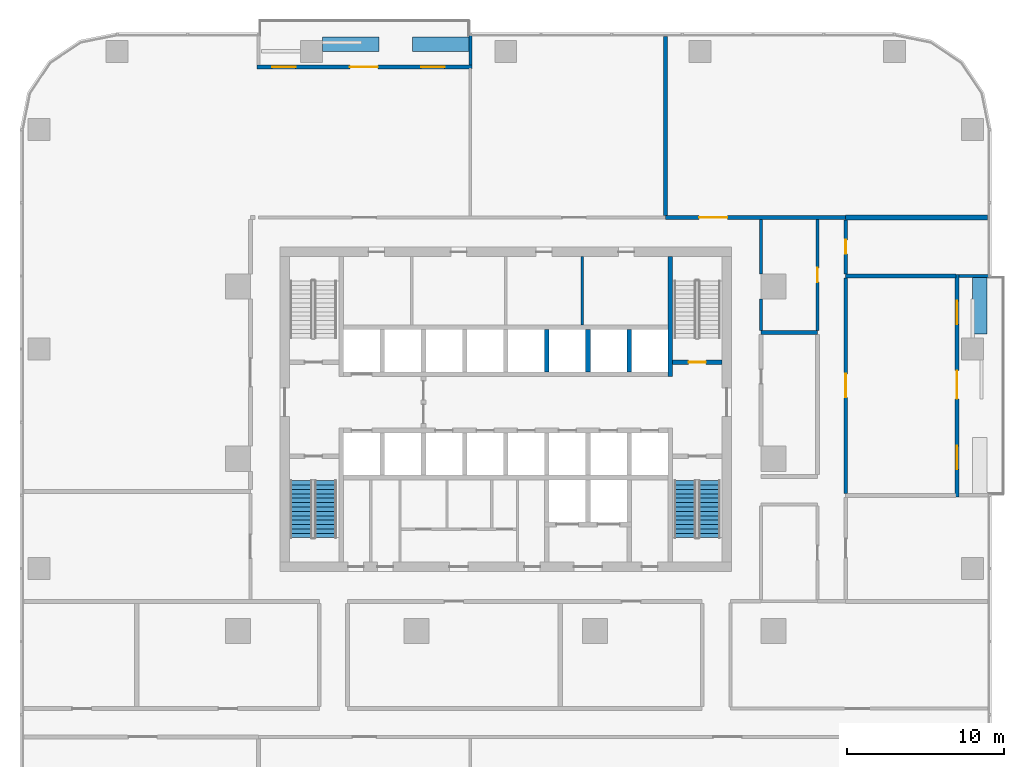
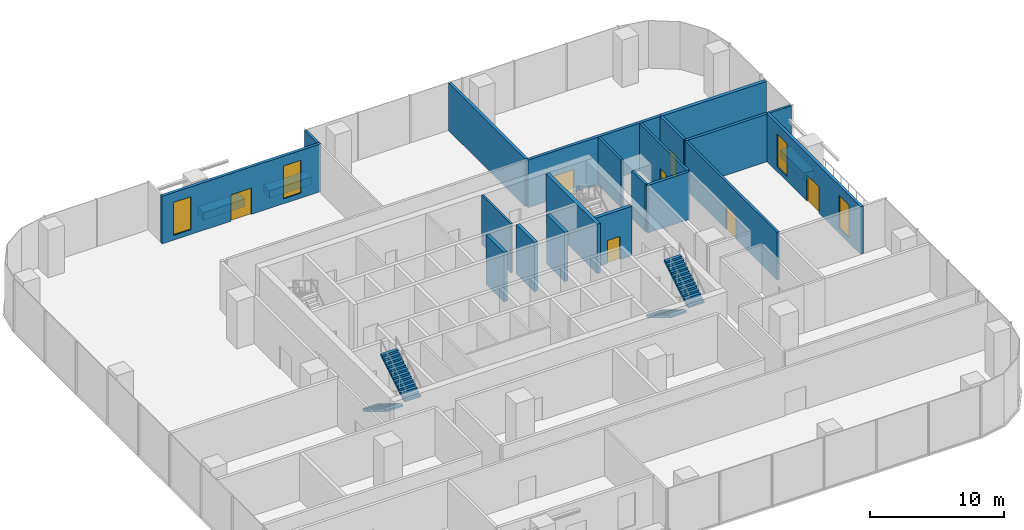
# One storey, part 10 of 15: 23 walls, 7 doors, 4 stair flights, 4 windows, 11 openings, 2 elements without a shape of their own.
"""IFC4 building model written with IfcOpenShell, lengths in metres."""

from ifc_helpers import new_model, si_unit, direction, frame, frame_2d, origin, place, context, subcontext, project, spatial, polyline, rectangle, outline, extrude, material, layer, layer_set, type_object, element, fill, aggregate, save


model = new_model("IFC4")

# Units and contexts
model_context = context("Model", 3, precision=1e-05, world=origin(), true_north=direction((0.0, 1.0)))
body_context = subcontext(model_context, "Body", "Model", "MODEL_VIEW")
ifc_project = project(units=[si_unit("LENGTHUNIT", "METRE"), si_unit("AREAUNIT", "SQUARE_METRE"), si_unit("VOLUMEUNIT", "CUBIC_METRE"), si_unit("PLANEANGLEUNIT", "RADIAN"), si_unit("MASSUNIT", "GRAM", prefix="KILO")], contexts=[model_context])

# Site, building, storey
site_placement = place(None, origin())
site = spatial("IfcSite", under=ifc_project, at=site_placement, CompositionType="ELEMENT")
building_placement = place(site_placement, origin())
building = spatial("IfcBuilding", under=site, at=building_placement, Name="Mopane Tessera Tower", CompositionType="ELEMENT")
storey_placement = place(building_placement, frame((0.0, 0.0, 64.60009765625)))
storey = spatial("IfcBuildingStorey", under=building, at=storey_placement, Name="L12", CompositionType="ELEMENT", Elevation=64.60009765625)

# Walls
ifc_material_1 = material(Name="Fire-rated gypsum board partition")
ifc_layer_1 = layer(ifc_material_1, 0.14990234375)
ifc_layer_set_1 = layer_set([ifc_layer_1], Name="Fire-rated gypsum board partition")
wall_type_1 = type_object("IfcWallType", Name="Core room partition 150 mm", PredefinedType="PARTITIONING", material=ifc_layer_set_1)
wall_1_placement = place(storey_placement, frame((4.875, 8.550048828125, 0.0), z_axis=(0.0, 0.0, 1.0), x_axis=(0.0, 1.0, 0.0)))
element("IfcWall", 1, at=wall_1_placement, inside=storey, type_object=wall_type_1, Name="L12 Room partition", PredefinedType="PARTITIONING", context=body_context, shape_type="SweptSolid", body=[
    extrude(rectangle(XDim=4.349853515625, YDim=0.14990234375, at=frame_2d((2.1748046875, 0.0))), origin(), (0.0, 0.0, 1.0), 4.5),
])
ifc_material_2 = material(Name="Concrete C60/75", Category="concrete")
ifc_layer_2 = layer(ifc_material_2, 0.300048828125)
ifc_layer_set_2 = layer_set([ifc_layer_2], Name="Concrete C60/75")
wall_type_2 = type_object("IfcWallType", Name="Core spine wall 300 mm", PredefinedType="SHEAR", material=ifc_layer_set_2)
wall_2_placement = place(storey_placement, frame((10.5, 5.25, 0.0), z_axis=(0.0, 0.0, 1.0), x_axis=(0.0, 1.0, 0.0)))
element("IfcWall", 2, at=wall_2_placement, inside=storey, type_object=wall_type_2, Name="L12 Core spine wall", PredefinedType="SHEAR", context=body_context, shape_type="SweptSolid", body=[
    extrude(rectangle(XDim=7.64990234375, YDim=0.300048828125, at=frame_2d((3.824951171875, 0.0))), origin(), (0.0, 0.0, 1.0), 4.5),
])
ifc_material_3 = material(Name="Gypsum board on steel studs, two layers each face, mineral wool infill", Category="steel")
ifc_layer_3 = layer(ifc_material_3, 0.199951171875)
ifc_layer_set_3 = layer_set([ifc_layer_3], Name="Gypsum board on steel studs, two layers each face, mineral wool infill")
wall_type_3 = type_object("IfcWallType", Name="Gypsum board corridor wall 200, rated EI 60", PredefinedType="PARTITIONING", material=ifc_layer_set_3)
wall_3_placement = place(storey_placement, frame((16.300048828125, 8.179931640625, 0.0), z_axis=(0.0, 0.0, 1.0), x_axis=(0.0, 1.0, 0.0)))
element("IfcWall", 3, at=wall_3_placement, inside=storey, type_object=wall_type_3, Name="Partition L12:036", PredefinedType="PARTITIONING", context=body_context, shape_type="SweptSolid", body=[
    extrude(rectangle(XDim=2.02001953125, YDim=0.199951171875, at=frame_2d((1.010009765625, 0.0))), origin(), (0.0, 0.0, 1.0), 4.349853515625),
])
wall_4_placement = place(storey_placement, frame((16.300048828125, 11.800048828125, 0.0), z_axis=(0.0, 0.0, 1.0), x_axis=(0.0, 1.0, 0.0)))
element("IfcWall", 4, at=wall_4_placement, inside=storey, type_object=wall_type_3, Name="Partition L12:037", PredefinedType="PARTITIONING", context=body_context, shape_type="SweptSolid", body=[
    extrude(rectangle(XDim=3.474853515625, YDim=0.199951171875, at=frame_2d((1.7373046875, 0.0))), origin(), (0.0, 0.0, 1.0), 4.349853515625),
])

# Wall, opening, door
wall_5_placement = place(storey_placement, frame((19.89990234375, 8.179931640625, 0.0), z_axis=(0.0, 0.0, 1.0), x_axis=(0.0, 1.0, 0.0)))
wall_5 = element("IfcWall", 5, at=wall_5_placement, inside=storey, type_object=wall_type_3, Name="Partition L12:040", PredefinedType="PARTITIONING", context=body_context, shape_type="SweptSolid", body=[
    extrude(rectangle(XDim=7.094970703125, YDim=0.199951171875, at=frame_2d((3.54736328125, 0.0))), origin(), (0.0, 0.0, 1.0), 4.349853515625),
])
opening_1_placement = place(wall_5_placement, frame((3.097412109375, 0.0, 0.0)))
opening_1 = element("IfcOpeningElement", 6, at=opening_1_placement, cuts=wall_5, Name="Opening L12-15", PredefinedType="OPENING", context=body_context, shape_type="SweptSolid", body=[
    extrude(rectangle(XDim=0.89990234375, YDim=2.10009765625, at=frame_2d((0.449951171875, 1.050048828125))), frame((0.0, 0.112060546875, 0.0), z_axis=(0.0, -1.0, 0.0), x_axis=(1.0, 0.0, 0.0)), (0.0, 0.0, 1.0), 0.223876953125),
])
ifc_material_4 = material(Name="Timber veneered steel-framed fire door", Category="steel")
door_type_1 = type_object("IfcDoorType", Name="Fire door FD60 900 x 2100", OperationType="SINGLE_SWING_LEFT", PredefinedType="DOOR", material=ifc_material_4)
door_1_placement = place(opening_1_placement, origin())
door_1 = element("IfcDoor", 7, at=door_1_placement, inside=storey, type_object=door_type_1, Name="Door L12-15", ObjectType="D10A", OperationType="SINGLE_SWING_RIGHT", OverallHeight=2.10009765625, OverallWidth=0.89990234375, PredefinedType="DOOR", context=body_context, shape_type="SweptSolid", body=[
    extrude(rectangle(XDim=0.89990234375, YDim=2.10009765625, at=frame_2d((0.449951171875, 1.050048828125))), frame((0.0, 0.02490234375, 0.0), z_axis=(0.0, -1.0, 0.0), x_axis=(1.0, 0.0, 0.0)), (0.0, 0.0, 1.0), 0.050048828125),
])
fill(opening_1, door_1)

wall_6_placement = place(storey_placement, frame((21.699951171875, -2.2099609375, 0.0), z_axis=(0.0, 0.0, 1.0), x_axis=(0.0, 1.0, 0.0)))
wall_6 = element("IfcWall", 8, at=wall_6_placement, inside=storey, type_object=wall_type_3, Name="Partition L12:042", PredefinedType="PARTITIONING", context=body_context, shape_type="SweptSolid", body=[
    extrude(rectangle(XDim=13.75, YDim=0.199951171875, at=frame_2d((6.875, 0.0))), origin(), (0.0, 0.0, 1.0), 4.349853515625),
])
opening_2_placement = place(wall_6_placement, frame((6.125, 0.0, 0.0)))
opening_2 = element("IfcOpeningElement", 9, at=opening_2_placement, cuts=wall_6, Name="Opening L12-18", PredefinedType="OPENING", context=body_context, shape_type="SweptSolid", body=[
    extrude(rectangle(XDim=1.5, YDim=2.10009765625, at=frame_2d((0.75, 1.050048828125))), frame((0.0, 0.112060546875, 0.0), z_axis=(0.0, -1.0, 0.0), x_axis=(1.0, 0.0, 0.0)), (0.0, 0.0, 1.0), 0.223876953125),
])
ifc_material_5 = material(Name="Timber veneered steel-framed fire door", Category="steel")
door_type_2 = type_object("IfcDoorType", Name="Fire door pair FD60 1500 x 2100", OperationType="DOUBLE_DOOR_SINGLE_SWING", PredefinedType="DOOR", material=ifc_material_5)
door_2_placement = place(opening_2_placement, origin())
door_2 = element("IfcDoor", 10, at=door_2_placement, inside=storey, type_object=door_type_2, Name="Door L12-18", ObjectType="D17A", OperationType="DOUBLE_DOOR_SINGLE_SWING", OverallHeight=2.10009765625, OverallWidth=1.5, PredefinedType="DOOR", context=body_context, shape_type="SweptSolid", body=[
    extrude(rectangle(XDim=1.5, YDim=2.10009765625, at=frame_2d((0.75, 1.050048828125))), frame((0.0, 0.02490234375, 0.0), z_axis=(0.0, -1.0, 0.0), x_axis=(1.0, 0.0, 0.0)), (0.0, 0.0, 1.0), 0.050048828125),
])
fill(opening_2, door_2)

ifc_material_6 = material(Name="Concrete C50/60", Category="concrete")
ifc_layer_4 = layer(ifc_material_6, 0.300048828125)
ifc_layer_set_4 = layer_set([ifc_layer_4], Name="Concrete C50/60")
wall_type_4 = type_object("IfcWallType", Name="Lift and stair shaft wall 300 mm", PredefinedType="SOLIDWALL", material=ifc_layer_set_4)
wall_7_placement = place(storey_placement, frame((10.64990234375, 6.14990234375, 0.0), z_axis=(0.0, 0.0, 1.0), x_axis=(1.0, 0.0, 0.0)))
wall_7 = element("IfcWall", 11, at=wall_7_placement, inside=storey, type_object=wall_type_4, Name="L12 Stair enclosure wall", PredefinedType="SOLIDWALL", context=body_context, shape_type="SweptSolid", body=[
    extrude(rectangle(XDim=3.150146484375, YDim=0.300048828125, at=frame_2d((1.5751953125, 0.0))), origin(), (0.0, 0.0, 1.0), 4.5),
])
opening_3_placement = place(wall_7_placement, frame((1.02490234375, 0.0, 0.0)))
opening_3 = element("IfcOpeningElement", 12, at=opening_3_placement, cuts=wall_7, Name="Opening SD1", PredefinedType="OPENING", context=body_context, shape_type="SweptSolid", body=[
    extrude(rectangle(XDim=1.10009765625, YDim=2.10009765625, at=frame_2d((0.550048828125, 1.050048828125))), frame((0.0, 0.162109375, 0.0), z_axis=(0.0, -1.0, 0.0), x_axis=(1.0, 0.0, 0.0)), (0.0, 0.0, 1.0), 0.323974609375),
])
ifc_material_7 = material(Name="Steel fire door", Category="steel")
door_type_3 = type_object("IfcDoorType", Name="Stair fire door 1100 x 2100", OperationType="SINGLE_SWING_LEFT", PredefinedType="DOOR", material=ifc_material_7)
door_3_placement = place(opening_3_placement, origin())
door_3 = element("IfcDoor", 13, at=door_3_placement, inside=storey, type_object=door_type_3, Name="L12 Stair door ST4", OperationType="SINGLE_SWING_RIGHT", OverallHeight=2.10009765625, OverallWidth=1.10009765625, PredefinedType="DOOR", context=body_context, shape_type="SweptSolid", body=[
    extrude(rectangle(XDim=1.10009765625, YDim=2.10009765625, at=frame_2d((0.550048828125, 1.050048828125))), frame((0.0, 0.02490234375, 0.0), z_axis=(0.0, -1.0, 0.0), x_axis=(1.0, 0.0, 0.0)), (0.0, 0.0, 1.0), 0.050048828125),
])
fill(opening_3, door_3)

# Walls
for number, where, z_axis, x_axis, name in (
    (14, (2.625, 5.550048828125, 0.0), (0.0, 0.0, 1.0), (0.0, 1.0, 0.0), "L12 Lift shaft wall"),
    (15, (5.25, 5.550048828125, 0.0), (0.0, 0.0, 1.0), (0.0, 1.0, 0.0), "L12 Lift shaft wall"),
    (16, (7.875, 5.550048828125, 0.0), (0.0, 0.0, 1.0), (0.0, 1.0, 0.0), "L12 Lift shaft wall"),
):
    element("IfcWall", number, at=place(storey_placement, frame(where, z_axis=z_axis, x_axis=x_axis)), inside=storey, type_object=wall_type_4, Name=name, PredefinedType="SOLIDWALL", context=body_context, shape_type="SweptSolid", body=[
        extrude(rectangle(XDim=2.699951171875, YDim=0.300048828125, at=frame_2d((1.35009765625, 0.0))), origin(), (0.0, 0.0, 1.0), 4.5),
    ])
ifc_material_8 = material(Name="Reinforced concrete C32/40 with waterproofing", Category="concrete")
ifc_layer_5 = layer(ifc_material_8, 0.89990234375)
ifc_layer_set_5 = layer_set([ifc_layer_5], Name="Reinforced concrete C32/40 with waterproofing")
wall_type_5 = type_object("IfcWallType", Name="Planter trough 3600 x 900", PredefinedType="STANDARD", material=ifc_layer_set_5)
for number, where, z_axis, x_axis, name in (
    (17, (30.25, 7.966552734375, 0.0), (0.0, 0.0, 1.0), (0.0, 1.0, 0.0), "e:nw:L12:N1:pl1"),
    (18, (-2.3544921875, 26.449951171875, 0.0), (0.0, 0.0, 1.0), (-1.0, 0.0, 0.0), "e:nw:L12:N2:pl0"),
    (19, (-8.079833984375, 26.449951171875, 0.0), (0.0, 0.0, 1.0), (-1.0, 0.0, 0.0), "e:nw:L12:N2:pl1"),
):
    element("IfcWall", number, at=place(storey_placement, frame(where, z_axis=z_axis, x_axis=x_axis)), inside=storey, type_object=wall_type_5, Name=name, PredefinedType="STANDARD", context=body_context, shape_type="SweptSolid", body=[
        extrude(rectangle(XDim=3.60009765625, YDim=0.89990234375, at=frame_2d((1.800048828125, 0.0))), origin(), (0.0, 0.0, 1.0), 0.699951171875),
    ])
ifc_material_9 = material(Name="Plastered concrete blockwork C20/25", Category="masonry")
ifc_layer_6 = layer(ifc_material_9, 0.300048828125)
ifc_layer_set_6 = layer_set([ifc_layer_6], Name="Plastered concrete blockwork C20/25")
wall_type_6 = type_object("IfcWallType", Name="Plastered blockwork separation wall 300, rated EI 120", PredefinedType="PARTITIONING", material=ifc_layer_set_6)
wall_8_placement = place(storey_placement, frame((21.699951171875, 15.39990234375, 0.0), z_axis=(0.0, 0.0, 1.0), x_axis=(1.0, 0.0, 0.0)))
element("IfcWall", 20, at=wall_8_placement, inside=storey, type_object=wall_type_6, Name="Partition L12:020", PredefinedType="PARTITIONING", context=body_context, shape_type="SweptSolid", body=[
    extrude(rectangle(XDim=9.050048828125, YDim=0.300048828125, at=frame_2d((4.52490234375, 0.0))), origin(), (0.0, 0.0, 1.0), 4.349853515625),
])
ifc_material_10 = material(Name="Plastered concrete blockwork C20/25", Category="masonry")
ifc_layer_7 = layer(ifc_material_10, 0.25)
ifc_layer_set_7 = layer_set([ifc_layer_7], Name="Plastered concrete blockwork C20/25")
wall_type_7 = type_object("IfcWallType", Name="Plastered blockwork wall 250, rated EI 120", PredefinedType="PARTITIONING", material=ifc_layer_set_7)
wall_9_placement = place(storey_placement, frame((16.300048828125, 8.054931640625, 0.0), z_axis=(0.0, 0.0, 1.0), x_axis=(1.0, 0.0, 0.0)))
element("IfcWall", 21, at=wall_9_placement, inside=storey, type_object=wall_type_7, Name="Partition L12:015", PredefinedType="PARTITIONING", context=body_context, shape_type="SweptSolid", body=[
    extrude(rectangle(XDim=3.599853515625, YDim=0.25, at=frame_2d((1.7998046875, 0.0))), origin(), (0.0, 0.0, 1.0), 4.349853515625),
])
wall_10_placement = place(storey_placement, frame((21.699951171875, 11.6650390625, 0.0), z_axis=(0.0, 0.0, 1.0), x_axis=(1.0, 0.0, 0.0)))
element("IfcWall", 22, at=wall_10_placement, inside=storey, type_object=wall_type_7, Name="Partition L12:016", PredefinedType="PARTITIONING", context=body_context, shape_type="SweptSolid", body=[
    extrude(rectangle(XDim=7.050048828125, YDim=0.25, at=frame_2d((3.52490234375, 0.0))), origin(), (0.0, 0.0, 1.0), 4.349853515625),
])

# Wall, opening, door
wall_11_placement = place(storey_placement, frame((10.18505859375, 15.39990234375, 0.0), z_axis=(0.0, 0.0, 1.0), x_axis=(1.0, 0.0, 0.0)))
wall_11 = element("IfcWall", 23, at=wall_11_placement, inside=storey, type_object=wall_type_7, Name="Partition L12:019", PredefinedType="PARTITIONING", context=body_context, shape_type="SweptSolid", body=[
    extrude(rectangle(XDim=11.514892578125, YDim=0.25, at=frame_2d((5.75732421875, 0.0))), origin(), (0.0, 0.0, 1.0), 4.349853515625),
])
opening_4_placement = place(wall_11_placement, frame((2.157470703125, 0.0, 0.0)))
opening_4 = element("IfcOpeningElement", 24, at=opening_4_placement, cuts=wall_11, Name="Opening L12-03", PredefinedType="OPENING", context=body_context, shape_type="SweptSolid", body=[
    extrude(rectangle(XDim=1.800048828125, YDim=2.10009765625, at=frame_2d((0.89990234375, 1.050048828125))), frame((0.0, 0.136962890625, 0.0), z_axis=(0.0, -1.0, 0.0), x_axis=(1.0, 0.0, 0.0)), (0.0, 0.0, 1.0), 0.27392578125),
])
ifc_material_11 = material(Name="Timber veneered steel-framed fire door", Category="steel")
door_type_4 = type_object("IfcDoorType", Name="Fire door pair FD120 1800 x 2100", OperationType="DOUBLE_DOOR_SINGLE_SWING", PredefinedType="DOOR", material=ifc_material_11)
door_4_placement = place(opening_4_placement, origin())
door_4 = element("IfcDoor", 25, at=door_4_placement, inside=storey, type_object=door_type_4, Name="Door L12-03", ObjectType="D20B", OperationType="DOUBLE_DOOR_SINGLE_SWING", OverallHeight=2.10009765625, OverallWidth=1.800048828125, PredefinedType="DOOR", context=body_context, shape_type="SweptSolid", body=[
    extrude(rectangle(XDim=1.800048828125, YDim=2.10009765625, at=frame_2d((0.89990234375, 1.050048828125))), frame((0.0, 0.02490234375, 0.0), z_axis=(0.0, -1.0, 0.0), x_axis=(1.0, 0.0, 0.0)), (0.0, 0.0, 1.0), 0.050048828125),
])
fill(opening_4, door_4)

# Wall
wall_12_placement = place(storey_placement, frame((10.18505859375, 15.52490234375, 0.0), z_axis=(0.0, 0.0, 1.0), x_axis=(0.0, 1.0, 0.0)))
element("IfcWall", 26, at=wall_12_placement, inside=storey, type_object=wall_type_7, Name="Partition L12:032", PredefinedType="PARTITIONING", context=body_context, shape_type="SweptSolid", body=[
    extrude(rectangle(XDim=11.425048828125, YDim=0.25, at=frame_2d((5.71240234375, 0.0))), origin(), (0.0, 0.0, 1.0), 4.349853515625),
])

# Wall, opening, door
wall_13_placement = place(storey_placement, frame((21.699951171875, 11.7900390625, 0.0), z_axis=(0.0, 0.0, 1.0), x_axis=(0.0, 1.0, 0.0)))
wall_13 = element("IfcWall", 27, at=wall_13_placement, inside=storey, type_object=wall_type_7, Name="Partition L12:044", PredefinedType="PARTITIONING", context=body_context, shape_type="SweptSolid", body=[
    extrude(rectangle(XDim=3.4599609375, YDim=0.25, at=frame_2d((1.72998046875, 0.0))), origin(), (0.0, 0.0, 1.0), 4.349853515625),
])
opening_5_placement = place(wall_13_placement, frame((1.280029296875, 0.0, 0.0)))
opening_5 = element("IfcOpeningElement", 28, at=opening_5_placement, cuts=wall_13, Name="Opening L12-06", PredefinedType="OPENING", context=body_context, shape_type="SweptSolid", body=[
    extrude(rectangle(XDim=0.89990234375, YDim=2.10009765625, at=frame_2d((0.449951171875, 1.050048828125))), frame((0.0, 0.136962890625, 0.0), z_axis=(0.0, -1.0, 0.0), x_axis=(1.0, 0.0, 0.0)), (0.0, 0.0, 1.0), 0.27392578125),
])
ifc_material_12 = material(Name="Timber veneered steel-framed fire door", Category="steel")
door_type_5 = type_object("IfcDoorType", Name="Fire door FD120 900 x 2100", OperationType="SINGLE_SWING_LEFT", PredefinedType="DOOR", material=ifc_material_12)
door_5_placement = place(opening_5_placement, origin())
door_5 = element("IfcDoor", 29, at=door_5_placement, inside=storey, type_object=door_type_5, Name="Door L12-06", ObjectType="D10B", OperationType="SINGLE_SWING_LEFT", OverallHeight=2.10009765625, OverallWidth=0.89990234375, PredefinedType="DOOR", context=body_context, shape_type="SweptSolid", body=[
    extrude(rectangle(XDim=0.89990234375, YDim=2.10009765625, at=frame_2d((0.449951171875, 1.050048828125))), frame((0.0, 0.02490234375, 0.0), z_axis=(0.0, -1.0, 0.0), x_axis=(1.0, 0.0, 0.0)), (0.0, 0.0, 1.0), 0.050048828125),
])
fill(opening_5, door_5)

# Walls
ifc_material_13 = material(Name="Blockwork with glazed tile facing", Category="masonry")
ifc_layer_8 = layer(ifc_material_13, 0.199951171875)
ifc_layer_set_8 = layer_set([ifc_layer_8], Name="Blockwork with glazed tile facing")
wall_type_8 = type_object("IfcWallType", Name="Terrace cheek wall 200", PredefinedType="STANDARD", material=ifc_layer_set_8)
for number, where, z_axis, x_axis, name in (
    (30, (30.800048828125, 11.666748046875, 0.0), (0.0, 0.0, 1.0), (-1.0, 0.0, 0.0), "e:nw:L12:N1:cheekb"),
    (31, (-2.254638671875, 27.0, 0.0), (0.0, 0.0, 1.0), (0.0, -1.0, 0.0), "e:nw:L12:N2:cheeka"),
):
    element("IfcWall", number, at=place(storey_placement, frame(where, z_axis=z_axis, x_axis=x_axis)), inside=storey, type_object=wall_type_8, Name=name, PredefinedType="STANDARD", context=body_context, shape_type="SweptSolid", body=[
        extrude(rectangle(XDim=1.875, YDim=0.199951171875, at=frame_2d((0.9375, 0.0))), origin(), (0.0, 0.0, 1.0), 4.349853515625),
    ])

# Wall, openings, windows, door
ifc_material_14 = material(Name="Blockwork with ochre glazed tile facing", Category="masonry")
ifc_layer_9 = layer(ifc_material_14, 0.25)
ifc_layer_set_9 = layer_set([ifc_layer_9], Name="Blockwork with ochre glazed tile facing")
wall_type_9 = type_object("IfcWallType", Name="Tile-clad external wall 250, ochre", PredefinedType="STANDARD", material=ifc_layer_set_9)
wall_14_placement = place(storey_placement, frame((28.800048828125, -2.433349609375, 0.0), z_axis=(0.0, 0.0, 1.0), x_axis=(0.0, 1.0, 0.0)))
wall_14 = element("IfcWall", 32, at=wall_14_placement, inside=storey, type_object=wall_type_9, Name="e:nw:L12:N1:back", PredefinedType="STANDARD", context=body_context, shape_type="SweptSolid", body=[
    extrude(rectangle(XDim=14.199951171875, YDim=0.25, at=frame_2d((7.10009765625, 0.0))), origin(), (0.0, 0.0, 1.0), 4.349853515625),
])
opening_6_placement = place(wall_14_placement, frame((1.75, 0.0, 0.449951171875)))
opening_6 = element("IfcOpeningElement", 33, at=opening_6_placement, cuts=wall_14, Name="Opening NW121A", PredefinedType="OPENING", context=body_context, shape_type="SweptSolid", body=[
    extrude(rectangle(XDim=1.5, YDim=3.0, at=frame_2d((0.75, 1.5))), frame((0.0, 0.136962890625, 0.0), z_axis=(0.0, -1.0, 0.0), x_axis=(1.0, 0.0, 0.0)), (0.0, 0.0, 1.0), 0.27392578125),
])
opening_7_placement = place(wall_14_placement, frame((6.25, 0.0, 0.0)))
opening_7 = element("IfcOpeningElement", 34, at=opening_7_placement, cuts=wall_14, Name="Opening ND121", PredefinedType="OPENING", context=body_context, shape_type="SweptSolid", body=[
    extrude(rectangle(XDim=1.800048828125, YDim=2.39990234375, at=frame_2d((0.89990234375, 1.199951171875))), frame((0.0, 0.136962890625, 0.0), z_axis=(0.0, -1.0, 0.0), x_axis=(1.0, 0.0, 0.0)), (0.0, 0.0, 1.0), 0.27392578125),
])
opening_8_placement = place(wall_14_placement, frame((11.0, 0.0, 0.449951171875)))
opening_8 = element("IfcOpeningElement", 35, at=opening_8_placement, cuts=wall_14, Name="Opening NW121B", PredefinedType="OPENING", context=body_context, shape_type="SweptSolid", body=[
    extrude(rectangle(XDim=1.5, YDim=3.0, at=frame_2d((0.75, 1.5))), frame((0.0, 0.136962890625, 0.0), z_axis=(0.0, -1.0, 0.0), x_axis=(1.0, 0.0, 0.0)), (0.0, 0.0, 1.0), 0.27392578125),
])
ifc_material_15 = material(Name="Clear laminated glass", Category="glass")
window_type = type_object("IfcWindowType", Name="Fixed window 1500 x 3000", PartitioningType="SINGLE_PANEL", PredefinedType="WINDOW", material=ifc_material_15)
window_1_placement = place(opening_6_placement, origin())
window_1 = element("IfcWindow", 36, at=window_1_placement, inside=storey, type_object=window_type, Name="e:nw:L12:N1:win0", OverallHeight=3.0, OverallWidth=1.5, PartitioningType="SINGLE_PANEL", PredefinedType="WINDOW", context=body_context, shape_type="SweptSolid", body=[
    extrude(rectangle(XDim=1.5, YDim=3.0, at=frame_2d((0.75, 1.5))), frame((0.0, 0.030029296875, 0.0), z_axis=(0.0, -1.0, 0.0), x_axis=(1.0, 0.0, 0.0)), (0.0, 0.0, 1.0), 0.06005859375),
])
fill(opening_6, window_1)
window_2_placement = place(opening_8_placement, origin())
window_2 = element("IfcWindow", 37, at=window_2_placement, inside=storey, type_object=window_type, Name="e:nw:L12:N1:win2", OverallHeight=3.0, OverallWidth=1.5, PartitioningType="SINGLE_PANEL", PredefinedType="WINDOW", context=body_context, shape_type="SweptSolid", body=[
    extrude(rectangle(XDim=1.5, YDim=3.0, at=frame_2d((0.75, 1.5))), frame((0.0, 0.030029296875, 0.0), z_axis=(0.0, -1.0, 0.0), x_axis=(1.0, 0.0, 0.0)), (0.0, 0.0, 1.0), 0.06005859375),
])
fill(opening_8, window_2)
ifc_material_16 = material(Name="Aluminium and clear glass", Category="aluminium")
door_type_6 = type_object("IfcDoorType", Name="Terrace double door 1800 x 2400", OperationType="DOUBLE_DOOR_SINGLE_SWING", PredefinedType="DOOR", material=ifc_material_16)
door_6_placement = place(opening_7_placement, origin())
door_6 = element("IfcDoor", 38, at=door_6_placement, inside=storey, type_object=door_type_6, Name="e:nw:L12:N1:door", ObjectType="D1", OperationType="DOUBLE_DOOR_SINGLE_SWING", OverallHeight=2.39990234375, OverallWidth=1.800048828125, PredefinedType="DOOR", context=body_context, shape_type="SweptSolid", body=[
    extrude(rectangle(XDim=1.800048828125, YDim=2.39990234375, at=frame_2d((0.89990234375, 1.199951171875))), frame((0.0, 0.02490234375, 0.0), z_axis=(0.0, -1.0, 0.0), x_axis=(1.0, 0.0, 0.0)), (0.0, 0.0, 1.0), 0.050048828125),
])
fill(opening_7, door_6)

wall_15_placement = place(storey_placement, frame((-2.154541015625, 25.0, 0.0), z_axis=(0.0, 0.0, 1.0), x_axis=(-1.0, 0.0, 0.0)))
wall_15 = element("IfcWall", 39, at=wall_15_placement, inside=storey, type_object=wall_type_9, Name="e:nw:L12:N2:back", PredefinedType="STANDARD", context=body_context, shape_type="SweptSolid", body=[
    extrude(rectangle(XDim=13.727294921875, YDim=0.25, at=frame_2d((6.86376953125, 0.0))), origin(), (0.0, 0.0, 1.0), 4.349853515625),
])
opening_9_placement = place(wall_15_placement, frame((1.75, 0.0, 0.449951171875)))
opening_9 = element("IfcOpeningElement", 40, at=opening_9_placement, cuts=wall_15, Name="Opening NW122A", PredefinedType="OPENING", context=body_context, shape_type="SweptSolid", body=[
    extrude(rectangle(XDim=1.5, YDim=3.0, at=frame_2d((0.75, 1.5))), frame((0.0, 0.136962890625, 0.0), z_axis=(0.0, -1.0, 0.0), x_axis=(1.0, 0.0, 0.0)), (0.0, 0.0, 1.0), 0.27392578125),
])
opening_10_placement = place(wall_15_placement, frame((6.0, 0.0, 0.0)))
opening_10 = element("IfcOpeningElement", 41, at=opening_10_placement, cuts=wall_15, Name="Opening ND122", PredefinedType="OPENING", context=body_context, shape_type="SweptSolid", body=[
    extrude(rectangle(XDim=1.800048828125, YDim=2.39990234375, at=frame_2d((0.89990234375, 1.199951171875))), frame((0.0, 0.136962890625, 0.0), z_axis=(0.0, -1.0, 0.0), x_axis=(1.0, 0.0, 0.0)), (0.0, 0.0, 1.0), 0.27392578125),
])
opening_11_placement = place(wall_15_placement, frame((11.25, 0.0, 0.449951171875)))
opening_11 = element("IfcOpeningElement", 42, at=opening_11_placement, cuts=wall_15, Name="Opening NW122B", PredefinedType="OPENING", context=body_context, shape_type="SweptSolid", body=[
    extrude(rectangle(XDim=1.5, YDim=3.0, at=frame_2d((0.75, 1.5))), frame((0.0, 0.136962890625, 0.0), z_axis=(0.0, -1.0, 0.0), x_axis=(1.0, 0.0, 0.0)), (0.0, 0.0, 1.0), 0.27392578125),
])
window_3_placement = place(opening_9_placement, origin())
window_3 = element("IfcWindow", 43, at=window_3_placement, inside=storey, type_object=window_type, Name="e:nw:L12:N2:win0", OverallHeight=3.0, OverallWidth=1.5, PartitioningType="SINGLE_PANEL", PredefinedType="WINDOW", context=body_context, shape_type="SweptSolid", body=[
    extrude(rectangle(XDim=1.5, YDim=3.0, at=frame_2d((0.75, 1.5))), frame((0.0, 0.030029296875, 0.0), z_axis=(0.0, -1.0, 0.0), x_axis=(1.0, 0.0, 0.0)), (0.0, 0.0, 1.0), 0.06005859375),
])
fill(opening_9, window_3)
window_4_placement = place(opening_11_placement, origin())
window_4 = element("IfcWindow", 44, at=window_4_placement, inside=storey, type_object=window_type, Name="e:nw:L12:N2:win2", OverallHeight=3.0, OverallWidth=1.5, PartitioningType="SINGLE_PANEL", PredefinedType="WINDOW", context=body_context, shape_type="SweptSolid", body=[
    extrude(rectangle(XDim=1.5, YDim=3.0, at=frame_2d((0.75, 1.5))), frame((0.0, 0.030029296875, 0.0), z_axis=(0.0, -1.0, 0.0), x_axis=(1.0, 0.0, 0.0)), (0.0, 0.0, 1.0), 0.06005859375),
])
fill(opening_11, window_4)
door_7_placement = place(opening_10_placement, origin())
door_7 = element("IfcDoor", 45, at=door_7_placement, inside=storey, type_object=door_type_6, Name="e:nw:L12:N2:door", ObjectType="D1", OperationType="DOUBLE_DOOR_SINGLE_SWING", OverallHeight=2.39990234375, OverallWidth=1.800048828125, PredefinedType="DOOR", context=body_context, shape_type="SweptSolid", body=[
    extrude(rectangle(XDim=1.800048828125, YDim=2.39990234375, at=frame_2d((0.89990234375, 1.199951171875))), frame((0.0, 0.02490234375, 0.0), z_axis=(0.0, -1.0, 0.0), x_axis=(1.0, 0.0, 0.0)), (0.0, 0.0, 1.0), 0.050048828125),
])
fill(opening_10, door_7)

# Stair, stair flights
ifc_material_17 = material(Name="Concrete C50/60", Category="concrete")
stair_type = type_object("IfcStairType", Name="Escape stair 1400 mm, riser 171 mm", PredefinedType="HALF_TURN_STAIR", material=ifc_material_17)
stair_1_placement = place(storey_placement, origin())
stair_1 = element("IfcStair", 46, at=stair_1_placement, inside=storey, type_object=stair_type, Name="L12 Escape stair south-west", PredefinedType="HALF_TURN_STAIR")
ifc_material_18 = material(Name="Concrete C50/60", Category="concrete")
stair_flight_type = type_object("IfcStairFlightType", Name="Escape stair flight 1400 mm", PredefinedType="STRAIGHT", material=ifc_material_18)
stair_flight_1_placement = place(storey_placement, frame((-13.050048828125, -1.39990234375, 0.0), z_axis=(0.0, 0.0, 1.0), x_axis=(0.0, -1.0, 0.0)))
stair_flight_1 = element("IfcStairFlight", 47, at=stair_flight_1_placement, type_object=stair_flight_type, Name="ST1 flight 1", NumberOfRisers=14, NumberOfTreads=13, PredefinedType="STRAIGHT", RiserHeight=0.171428571, TreadLength=0.28, context=body_context, shape_type="SweptSolid", body=[
    extrude(outline(polyline([(0.0, 0.0), (0.0, 0.17138671875), (0.280029296875, 0.17138671875), (0.280029296875, 0.3427734375), (0.56005859375, 0.3427734375), (0.56005859375, 0.514404296875), (0.840087890625, 0.514404296875), (0.840087890625, 0.685791015625), (1.1201171875, 0.685791015625), (1.1201171875, 0.857177734375), (1.39990234375, 0.857177734375), (1.39990234375, 1.028564453125), (1.679931640625, 1.028564453125), (1.679931640625, 1.199951171875), (1.9599609375, 1.199951171875), (1.9599609375, 1.371337890625), (2.239990234375, 1.371337890625), (2.239990234375, 1.54296875), (2.52001953125, 1.54296875), (2.52001953125, 1.71435546875), (2.800048828125, 1.71435546875), (2.800048828125, 1.8857421875), (3.080078125, 1.8857421875), (3.080078125, 2.05712890625), (3.360107421875, 2.05712890625), (3.360107421875, 2.228515625), (3.639892578125, 2.228515625), (3.639892578125, 2.39990234375), (3.639892578125, 2.052734375), (0.287109375, 0.0), (0.0, 0.0)])), frame((0.0, 0.699951171875, 0.0), z_axis=(0.0, -1.0, 0.0), x_axis=(1.0, 0.0, 0.0)), (0.0, 0.0, 1.0), 1.39990234375),
])
stair_flight_2_placement = place(storey_placement, frame((-11.5, -5.0400390625, 2.39990234375), z_axis=(0.0, 0.0, 1.0), x_axis=(0.0, 1.0, 0.0)))
stair_flight_2 = element("IfcStairFlight", 48, at=stair_flight_2_placement, type_object=stair_flight_type, Name="ST1 flight 2", NumberOfRisers=14, NumberOfTreads=13, PredefinedType="STRAIGHT", RiserHeight=0.171428571, TreadLength=0.28, context=body_context, shape_type="SweptSolid", body=[
    extrude(outline(polyline([(0.0, 0.0), (0.0, 0.17138671875), (0.280029296875, 0.17138671875), (0.280029296875, 0.3427734375), (0.56005859375, 0.3427734375), (0.56005859375, 0.514404296875), (0.840087890625, 0.514404296875), (0.840087890625, 0.685791015625), (1.1201171875, 0.685791015625), (1.1201171875, 0.857177734375), (1.39990234375, 0.857177734375), (1.39990234375, 1.028564453125), (1.679931640625, 1.028564453125), (1.679931640625, 1.199951171875), (1.9599609375, 1.199951171875), (1.9599609375, 1.371337890625), (2.239990234375, 1.371337890625), (2.239990234375, 1.54296875), (2.52001953125, 1.54296875), (2.52001953125, 1.71435546875), (2.800048828125, 1.71435546875), (2.800048828125, 1.8857421875), (3.080078125, 1.8857421875), (3.080078125, 2.05712890625), (3.360107421875, 2.05712890625), (3.360107421875, 2.228515625), (3.639892578125, 2.228515625), (3.639892578125, 2.39990234375), (3.639892578125, 2.052734375), (0.287109375, 0.0), (0.0, 0.0)])), frame((0.0, 0.699951171875, 0.0), z_axis=(0.0, -1.0, 0.0), x_axis=(1.0, 0.0, 0.0)), (0.0, 0.0, 1.0), 1.39990234375),
])
aggregate(stair_1, [stair_flight_1, stair_flight_2])

stair_2_placement = place(storey_placement, origin())
stair_2 = element("IfcStair", 49, at=stair_2_placement, inside=storey, type_object=stair_type, Name="L12 Escape stair south-east", PredefinedType="HALF_TURN_STAIR")
stair_flight_3_placement = place(storey_placement, frame((11.449951171875, -1.39990234375, 0.0), z_axis=(0.0, 0.0, 1.0), x_axis=(0.0, -1.0, 0.0)))
stair_flight_3 = element("IfcStairFlight", 50, at=stair_flight_3_placement, type_object=stair_flight_type, Name="ST3 flight 1", NumberOfRisers=14, NumberOfTreads=13, PredefinedType="STRAIGHT", RiserHeight=0.171428571, TreadLength=0.28, context=body_context, shape_type="SweptSolid", body=[
    extrude(outline(polyline([(0.0, 0.0), (0.0, 0.17138671875), (0.280029296875, 0.17138671875), (0.280029296875, 0.3427734375), (0.56005859375, 0.3427734375), (0.56005859375, 0.514404296875), (0.840087890625, 0.514404296875), (0.840087890625, 0.685791015625), (1.1201171875, 0.685791015625), (1.1201171875, 0.857177734375), (1.39990234375, 0.857177734375), (1.39990234375, 1.028564453125), (1.679931640625, 1.028564453125), (1.679931640625, 1.199951171875), (1.9599609375, 1.199951171875), (1.9599609375, 1.371337890625), (2.239990234375, 1.371337890625), (2.239990234375, 1.54296875), (2.52001953125, 1.54296875), (2.52001953125, 1.71435546875), (2.800048828125, 1.71435546875), (2.800048828125, 1.8857421875), (3.080078125, 1.8857421875), (3.080078125, 2.05712890625), (3.360107421875, 2.05712890625), (3.360107421875, 2.228515625), (3.639892578125, 2.228515625), (3.639892578125, 2.39990234375), (3.639892578125, 2.052734375), (0.287109375, 0.0), (0.0, 0.0)])), frame((0.0, 0.699951171875, 0.0), z_axis=(0.0, -1.0, 0.0), x_axis=(1.0, 0.0, 0.0)), (0.0, 0.0, 1.0), 1.39990234375),
])
stair_flight_4_placement = place(storey_placement, frame((13.0, -5.0400390625, 2.39990234375), z_axis=(0.0, 0.0, 1.0), x_axis=(0.0, 1.0, 0.0)))
stair_flight_4 = element("IfcStairFlight", 51, at=stair_flight_4_placement, type_object=stair_flight_type, Name="ST3 flight 2", NumberOfRisers=14, NumberOfTreads=13, PredefinedType="STRAIGHT", RiserHeight=0.171428571, TreadLength=0.28, context=body_context, shape_type="SweptSolid", body=[
    extrude(outline(polyline([(0.0, 0.0), (0.0, 0.17138671875), (0.280029296875, 0.17138671875), (0.280029296875, 0.3427734375), (0.56005859375, 0.3427734375), (0.56005859375, 0.514404296875), (0.840087890625, 0.514404296875), (0.840087890625, 0.685791015625), (1.1201171875, 0.685791015625), (1.1201171875, 0.857177734375), (1.39990234375, 0.857177734375), (1.39990234375, 1.028564453125), (1.679931640625, 1.028564453125), (1.679931640625, 1.199951171875), (1.9599609375, 1.199951171875), (1.9599609375, 1.371337890625), (2.239990234375, 1.371337890625), (2.239990234375, 1.54296875), (2.52001953125, 1.54296875), (2.52001953125, 1.71435546875), (2.800048828125, 1.71435546875), (2.800048828125, 1.8857421875), (3.080078125, 1.8857421875), (3.080078125, 2.05712890625), (3.360107421875, 2.05712890625), (3.360107421875, 2.228515625), (3.639892578125, 2.228515625), (3.639892578125, 2.39990234375), (3.639892578125, 2.052734375), (0.287109375, 0.0), (0.0, 0.0)])), frame((0.0, 0.699951171875, 0.0), z_axis=(0.0, -1.0, 0.0), x_axis=(1.0, 0.0, 0.0)), (0.0, 0.0, 1.0), 1.39990234375),
])
aggregate(stair_2, [stair_flight_3, stair_flight_4])

save(model, "model.ifc")
